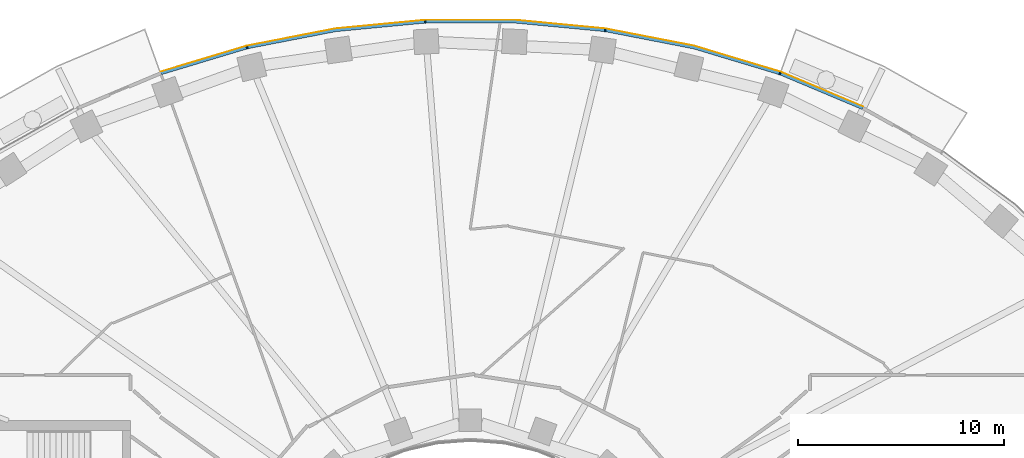
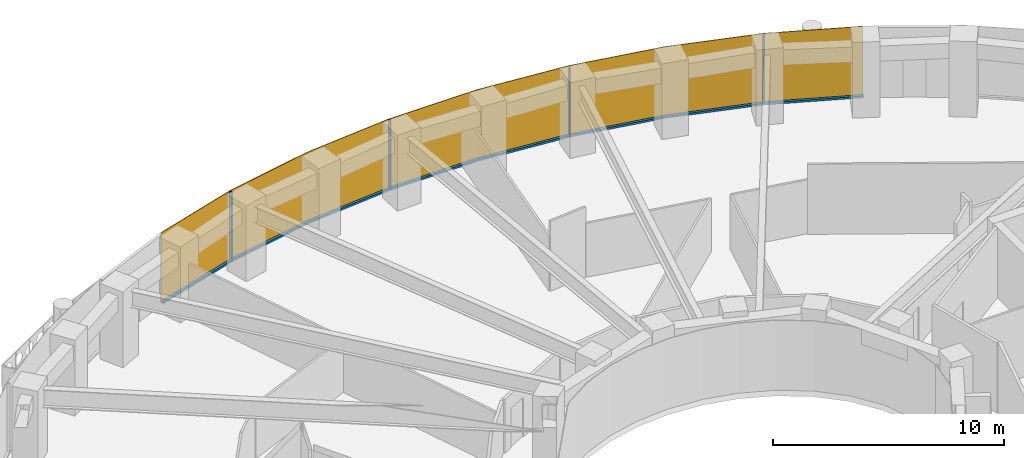
# One storey, part 12 of 15: 9 members, 1 curtain wall.
"""IFC4 building model written with IfcOpenShell, lengths in metres."""

from ifc_helpers import new_model, si_unit, direction, frame, origin, origin_2d, place, context, subcontext, project, spatial, polyline, rectangle, outline, extrude, material, layer, layer_set, material_profile, profile_set, type_object, element, aggregate, save


model = new_model("IFC4")

# Units and contexts
model_context = context("Model", 3, precision=1e-05, world=origin(), true_north=direction((0.0, 1.0)))
body_context = subcontext(model_context, "Body", "Model", "MODEL_VIEW")
ifc_project = project(units=[si_unit("LENGTHUNIT", "METRE"), si_unit("AREAUNIT", "SQUARE_METRE"), si_unit("VOLUMEUNIT", "CUBIC_METRE"), si_unit("PLANEANGLEUNIT", "RADIAN"), si_unit("MASSUNIT", "GRAM", prefix="KILO")], contexts=[model_context])

# Member
ifc_material_1 = material(Name="Aluminium 6063-T6 black anodised", Category="aluminium")
ifc_material_profile = material_profile(ifc_material_1, rectangle(XDim=0.1201171875, YDim=0.06005859375, at=origin_2d()), Name="120x60")
ifc_profile_set = profile_set([ifc_material_profile], Name="Aluminium 6063-T6 black anodised")
member_type_1 = type_object("IfcMemberType", Name="ENV-MULLION-A-120", PredefinedType="MULLION", material=ifc_profile_set)
site_placement = place(None, origin())
building_placement = place(site_placement, origin())
storey_placement = place(building_placement, frame((0.0, 0.0, 170.0)))
member_1_placement = place(storey_placement, frame((15.0341796875, 25.34375, 0.0), z_axis=(0.0, 0.0, 1.0), x_axis=(-0.338379256581, -0.941009818608, 0.0)))
member_1 = element("IfcMember", 1, at=member_1_placement, type_object=member_type_1, Name="Mullion A radial 09", PredefinedType="MULLION", context=body_context, shape_type="SweptSolid", body=[
    extrude(rectangle(XDim=0.1201171875, YDim=0.06005859375, at=origin_2d()), origin(), (0.0, 0.0, 1.0), 3.699951171875),
])

member_2_placement = place(storey_placement, frame((6.54638671875, 27.440185546875, 0.0), z_axis=(0.0, 0.0, 1.0), x_axis=(-0.143082012705, -0.989710835366, 0.0)))
member_2 = element("IfcMember", 2, at=member_2_placement, type_object=member_type_1, Name="Mullion A radial 11", PredefinedType="MULLION", context=body_context, shape_type="SweptSolid", body=[
    extrude(rectangle(XDim=0.1201171875, YDim=0.06005859375, at=origin_2d()), origin(), (0.0, 0.0, 1.0), 3.699951171875),
])

member_3_placement = place(storey_placement, frame((-2.188720703125, 27.856201171875, 0.0), z_axis=(0.0, 0.0, 1.0), x_axis=(0.047557873581, -0.998868484166, 0.0)))
member_3 = element("IfcMember", 3, at=member_3_placement, type_object=member_type_1, Name="Mullion A radial 13", PredefinedType="MULLION", context=body_context, shape_type="SweptSolid", body=[
    extrude(rectangle(XDim=0.1201171875, YDim=0.06005859375, at=origin_2d()), origin(), (0.0, 0.0, 1.0), 3.699951171875),
])

member_4_placement = place(storey_placement, frame((-10.84326171875, 26.60498046875, 0.0), z_axis=(0.0, 0.0, 1.0), x_axis=(0.239799081534, -0.970822538106, 0.0)))
member_4 = element("IfcMember", 4, at=member_4_placement, type_object=member_type_1, Name="Mullion A radial 15", PredefinedType="MULLION", context=body_context, shape_type="SweptSolid", body=[
    extrude(rectangle(XDim=0.1201171875, YDim=0.06005859375, at=origin_2d()), origin(), (0.0, 0.0, 1.0), 3.699951171875),
])

ifc_material_2 = material(Name="Aluminium 6063-T6 black anodised", Category="aluminium")
member_type_2 = type_object("IfcMemberType", Name="ENV-TRANSOM-A", PredefinedType="USERDEFINED", material=ifc_material_2)
member_5_placement = place(storey_placement, origin())
member_5 = element("IfcMember", 5, at=member_5_placement, type_object=member_type_2, Name="Transom A radial 08-09", ObjectType="TRANSOM", PredefinedType="USERDEFINED", context=body_context, shape_type="SweptSolid", body=[
    extrude(outline(polyline([(19.07568359375, 23.709228515625), (15.080322265625, 25.389404296875), (15.03955078125, 25.276123046875), (19.02294921875, 23.601318359375), (19.07568359375, 23.709228515625)])), origin(), (0.0, 0.0, 1.0), 0.10009765625),
])

member_6_placement = place(storey_placement, origin())
member_6 = element("IfcMember", 6, at=member_6_placement, type_object=member_type_2, Name="Transom A radial 09-11", ObjectType="TRANSOM", PredefinedType="USERDEFINED", context=body_context, shape_type="SweptSolid", body=[
    extrude(outline(polyline([(15.027587890625, 25.408203125), (10.857666015625, 26.6630859375), (6.58251953125, 27.494140625), (6.5654296875, 27.375244140625), (10.828857421875, 26.54638671875), (14.987060546875, 25.295166015625), (15.027587890625, 25.408203125)])), origin(), (0.0, 0.0, 1.0), 0.10009765625),
])

member_7_placement = place(storey_placement, origin())
member_7 = element("IfcMember", 7, at=member_7_placement, type_object=member_type_2, Name="Transom A radial 11-13", ObjectType="TRANSOM", PredefinedType="USERDEFINED", context=body_context, shape_type="SweptSolid", body=[
    extrude(outline(polyline([(6.527099609375, 27.502197265625), (2.191650390625, 27.916015625), (-2.163818359375, 27.916015625), (-2.157958984375, 27.7958984375), (2.185791015625, 27.7958984375), (6.510009765625, 27.38330078125), (6.527099609375, 27.502197265625)])), origin(), (0.0, 0.0, 1.0), 0.10009765625),
])

member_8_placement = place(storey_placement, origin())
member_8 = element("IfcMember", 8, at=member_8_placement, type_object=member_type_2, Name="Transom A radial 13-15", ObjectType="TRANSOM", PredefinedType="USERDEFINED", context=body_context, shape_type="SweptSolid", body=[
    extrude(outline(polyline([(-2.219482421875, 27.913330078125), (-6.55517578125, 27.49951171875), (-10.830078125, 26.66845703125), (-10.80126953125, 26.552001953125), (-6.537841796875, 27.380615234375), (-2.2138671875, 27.793212890625), (-2.219482421875, 27.913330078125)])), origin(), (0.0, 0.0, 1.0), 0.10009765625),
])

member_9_placement = place(storey_placement, origin())
member_9 = element("IfcMember", 9, at=member_9_placement, type_object=member_type_2, Name="Transom A radial 15-16", ObjectType="TRANSOM", PredefinedType="USERDEFINED", context=body_context, shape_type="SweptSolid", body=[
    extrude(outline(polyline([(-10.884521484375, 26.655029296875), (-15.035400390625, 25.406005859375), (-14.99462890625, 25.292724609375), (-10.855712890625, 26.53857421875), (-10.884521484375, 26.655029296875)])), origin(), (0.0, 0.0, 1.0), 0.10009765625),
])

# Site, building, storey
site = spatial("IfcSite", under=ifc_project, at=site_placement, CompositionType="ELEMENT")
building = spatial("IfcBuilding", under=site, at=building_placement, Name="Noorbagh Ring Tower", CompositionType="ELEMENT")
storey = spatial("IfcBuildingStorey", under=building, at=storey_placement, Name="L39", CompositionType="ELEMENT", Elevation=170.0)

# Curtain wall
ifc_material_3 = material(Name="Glass dark tinted laminated", Category="glass")
ifc_layer = layer(ifc_material_3, 0.031982421875)
ifc_layer_set = layer_set([ifc_layer], Name="Glass dark tinted laminated")
curtain_wall_type = type_object("IfcCurtainWallType", Name="ENV-CW-A", PredefinedType="NOTDEFINED", material=ifc_layer_set)
curtain_wall_placement = place(storey_placement, origin())
curtain_wall = element("IfcCurtainWall", 10, at=curtain_wall_placement, inside=storey, type_object=curtain_wall_type, Name="Curtain wall A R08", PredefinedType="NOTDEFINED", context=body_context, shape_type="SweptSolid", body=[
    extrude(outline(polyline([(19.08984375, 23.738037109375), (15.065185546875, 25.430419921875), (10.865234375, 26.6943359375), (6.559814453125, 27.53125), (2.193115234375, 27.947998046875), (-2.193115234375, 27.947998046875), (-6.559814453125, 27.53125), (-10.865234375, 26.6943359375), (-15.046142578125, 25.43603515625), (-15.035400390625, 25.406005859375), (-10.857666015625, 26.6630859375), (-6.55517578125, 27.49951171875), (-2.191650390625, 27.916015625), (2.191650390625, 27.916015625), (6.55517578125, 27.49951171875), (10.857666015625, 26.6630859375), (15.054443359375, 25.400146484375), (19.07568359375, 23.709228515625), (19.08984375, 23.738037109375)])), origin(), (0.0, 0.0, 1.0), 3.699951171875),
])

aggregate(curtain_wall, [member_1, member_2, member_3, member_4, member_5, member_6, member_7, member_8, member_9])

save(model, "model.ifc")
